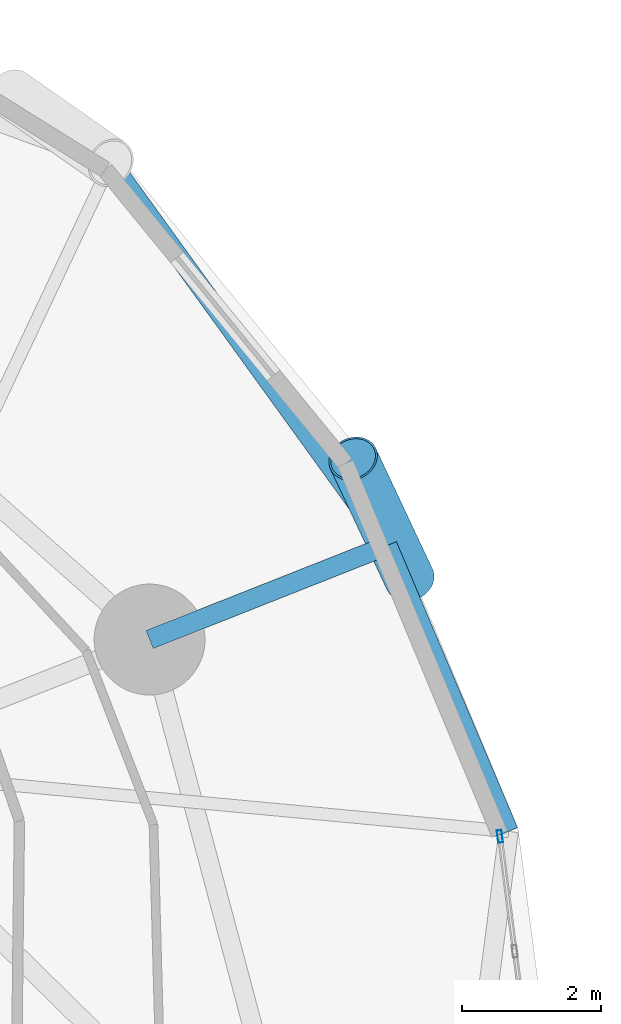
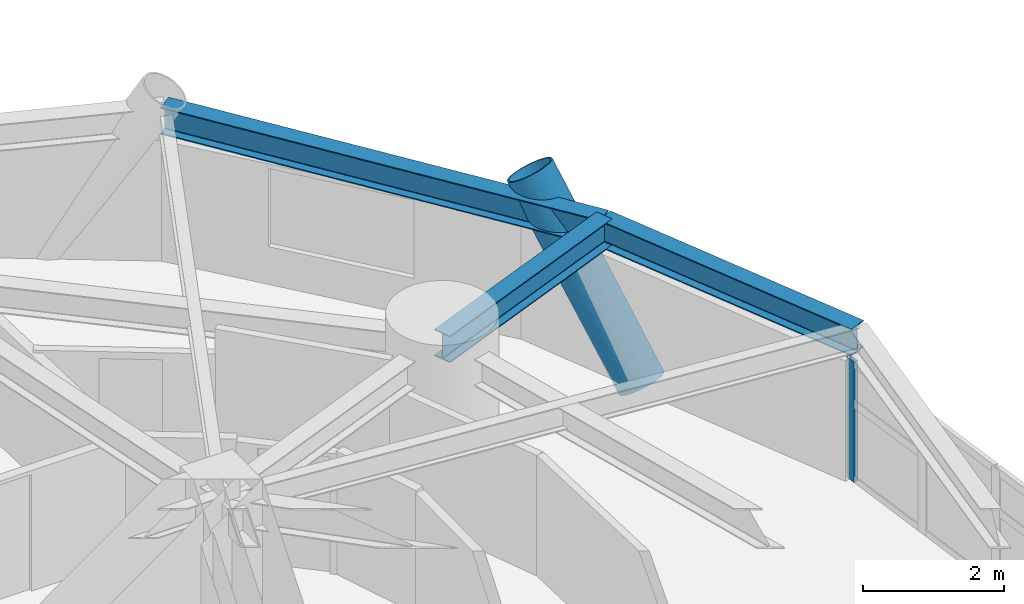
# One storey, part 4 of 16: 3 beams, 2 members, 1 element without a shape of its own.
"""IFC4 building model written with IfcOpenShell, lengths in metres."""

from ifc_helpers import new_model, si_unit, direction, frame, origin, origin_2d, place, context, subcontext, project, spatial, hollow_rectangle, hollow_circle, i_section, extrude, material, layer, layer_set, material_profile, profile_set, type_object, element, aggregate, save


model = new_model("IFC4")

# Units and contexts
model_context = context("Model", 3, precision=1e-05, world=origin(), true_north=direction((0.0, 1.0)))
body_context = subcontext(model_context, "Body", "Model", "MODEL_VIEW")
ifc_project = project(units=[si_unit("LENGTHUNIT", "METRE"), si_unit("AREAUNIT", "SQUARE_METRE"), si_unit("VOLUMEUNIT", "CUBIC_METRE"), si_unit("PLANEANGLEUNIT", "RADIAN"), si_unit("MASSUNIT", "GRAM", prefix="KILO")], contexts=[model_context])

# Site, building, storey
site_placement = place(None, origin())
site = spatial("IfcSite", under=ifc_project, at=site_placement, CompositionType="ELEMENT")
building_placement = place(site_placement, origin())
building = spatial("IfcBuilding", under=site, at=building_placement, Name="Cununo Teusaquillo Station Towers", CompositionType="ELEMENT")
storey_placement = place(building_placement, frame((0.0, 0.0, 62.739990234375)))
storey = spatial("IfcBuildingStorey", under=building, at=storey_placement, Name="L19", CompositionType="ELEMENT", Elevation=62.739990234375)

# Beams
ifc_material_1 = material(Name="Steel ASTM A572 Grade 50", Category="steel")
ifc_material_profile_1 = material_profile(ifc_material_1, i_section(OverallWidth=0.280029296875, OverallDepth=0.462890625, WebThickness=0.0107421875, FlangeThickness=0.017333984375, FilletRadius=0.013916015625, at=origin_2d()), Name="W18X76")
ifc_profile_set_1 = profile_set([ifc_material_profile_1], Name="Steel ASTM A572 Grade 50")
beam_type_1 = type_object("IfcBeamType", Name="BM-RAD-G1", PredefinedType="BEAM", material=ifc_profile_set_1)
beam_1_placement = place(storey_placement, frame((26.347412109375, 33.228515625, 2.338623046875), z_axis=(0.929861788731, 0.367909029323, 0.0), x_axis=(-0.367909029323, 0.929861788731, 0.0)))
element("IfcBeam", 1, at=beam_1_placement, inside=storey, type_object=beam_type_1, Name="L19 Tower A Perimeter Overhang Girder 02B", PredefinedType="BEAM", context=body_context, shape_type="SweptSolid", body=[
    extrude(i_section(OverallWidth=0.280029296875, OverallDepth=0.462890625, WebThickness=0.0107421875, FlangeThickness=0.017333984375, FilletRadius=0.013916015625, at=origin_2d()), origin(), (0.0, 0.0, 1.0), 3.690185546875),
])
ifc_material_2 = material(Name="Steel ASTM A572 Grade 50", Category="steel")
ifc_material_profile_2 = material_profile(ifc_material_2, i_section(OverallWidth=0.280029296875, OverallDepth=0.462890625, WebThickness=0.0107421875, FlangeThickness=0.017333984375, FilletRadius=0.013916015625, at=origin_2d()), Name="W18X76")
ifc_profile_set_2 = profile_set([ifc_material_profile_2], Name="Steel ASTM A572 Grade 50")
beam_type_2 = type_object("IfcBeamType", Name="BM-RING-Z2", PredefinedType="SPANDREL", material=ifc_profile_set_2)
beam_2_placement = place(storey_placement, frame((31.527587890625, 30.4609375, 2.338623046875), z_axis=(-0.390299356049, 0.920688010494, 0.0), x_axis=(-0.920688010494, -0.390299356049, 0.0)))
element("IfcBeam", 2, at=beam_2_placement, inside=storey, type_object=beam_type_2, Name="L19 Tower A Spandrel Ring Beam 02", PredefinedType="SPANDREL", context=body_context, shape_type="SweptSolid", body=[
    extrude(i_section(OverallWidth=0.280029296875, OverallDepth=0.462890625, WebThickness=0.0107421875, FlangeThickness=0.017333984375, FilletRadius=0.013916015625, at=origin_2d()), origin(), (0.0, 0.0, 1.0), 4.480712890625),
])
beam_3_placement = place(storey_placement, frame((29.77880859375, 34.586181640625, 2.338623046875), z_axis=(-0.58594455724, 0.810351143543, 0.0), x_axis=(-0.810351143543, -0.58594455724, 0.0)))
element("IfcBeam", 3, at=beam_3_placement, inside=storey, type_object=beam_type_2, Name="L19 Tower A Spandrel Ring Beam 03", PredefinedType="SPANDREL", context=body_context, shape_type="SweptSolid", body=[
    extrude(i_section(OverallWidth=0.280029296875, OverallDepth=0.462890625, WebThickness=0.0107421875, FlangeThickness=0.017333984375, FilletRadius=0.013916015625, at=origin_2d()), origin(), (0.0, 0.0, 1.0), 6.8115234375),
])

# Curtain wall, member
ifc_material_3 = material(Name="Operable acoustic tinted low-E double glazing", Category="glass")
ifc_layer = layer(ifc_material_3, 0.179931640625)
ifc_layer_set = layer_set([ifc_layer], Name="Operable acoustic tinted low-E double glazing")
curtain_wall_type = type_object("IfcCurtainWallType", Name="CW-SYS-03", PredefinedType="USERDEFINED", material=ifc_layer_set)
curtain_wall_placement = place(storey_placement, origin())
curtain_wall = element("IfcCurtainWall", 4, at=curtain_wall_placement, inside=storey, type_object=curtain_wall_type, Name="L19 Tower A Facade Curtain Wall C00", ObjectType="OPERABLE GLAZING", PredefinedType="USERDEFINED")
ifc_material_4 = material(Name="Anodised dark bronze aluminium EN AW-6063-T6", Category="aluminium")
ifc_material_profile_3 = material_profile(ifc_material_4, hollow_rectangle(XDim=0.070068359375, YDim=0.179931640625, WallThickness=0.00390625, at=origin_2d()), Name="CW-MULL-70x180")
ifc_profile_set_3 = profile_set([ifc_material_profile_3], Name="Anodised dark bronze aluminium EN AW-6063-T6")
member_type_1 = type_object("IfcMemberType", Name="CWM-180", PredefinedType="MULLION", material=ifc_profile_set_3)
member_1_placement = place(storey_placement, frame((31.40087890625, 30.38916015625, 0.0), z_axis=(0.0, 0.0, 1.0), x_axis=(0.99173073067, 0.128336112783, 0.0)))
member_1 = element("IfcMember", 5, at=member_1_placement, type_object=member_type_1, Name="CW-03 mullion 1", PredefinedType="MULLION", context=body_context, shape_type="SweptSolid", body=[
    extrude(hollow_rectangle(XDim=0.070068359375, YDim=0.179931640625, WallThickness=0.00390625, at=origin_2d()), origin(), (0.0, 0.0, 1.0), 2.0791015625),
])
aggregate(curtain_wall, [member_1])

# Member
ifc_material_5 = material(Name="Steel EN 10025-2 S355J2", Category="steel")
ifc_material_profile_4 = material_profile(ifc_material_5, hollow_circle(Radius=0.360107421875, WallThickness=0.028076171875, at=origin_2d()), Name="CHS 720x28")
ifc_profile_set_4 = profile_set([ifc_material_profile_4], Name="Steel EN 10025-2 S355J2")
member_type_2 = type_object("IfcMemberType", Name="MBR-DIAG-Z1", PredefinedType="BRACE", material=ifc_profile_set_4)
member_2_placement = place(storey_placement, frame((30.1015625, 34.095458984375, -0.139892578125), z_axis=(-0.234535355915, 0.499507131824, 0.83395790786), x_axis=(-0.905186176525, -0.425015277169, 0.0)))
element("IfcMember", 6, at=member_2_placement, inside=storey, type_object=member_type_2, Name="L19 Tower A Folded-Zigzag Diagrid Tube C01", PredefinedType="BRACE", context=body_context, shape_type="SweptSolid", body=[
    extrude(hollow_circle(Radius=0.360107421875, WallThickness=0.028076171875, at=origin_2d()), origin(), (0.0, 0.0, 1.0), 3.4892578125),
])

save(model, "model.ifc")
